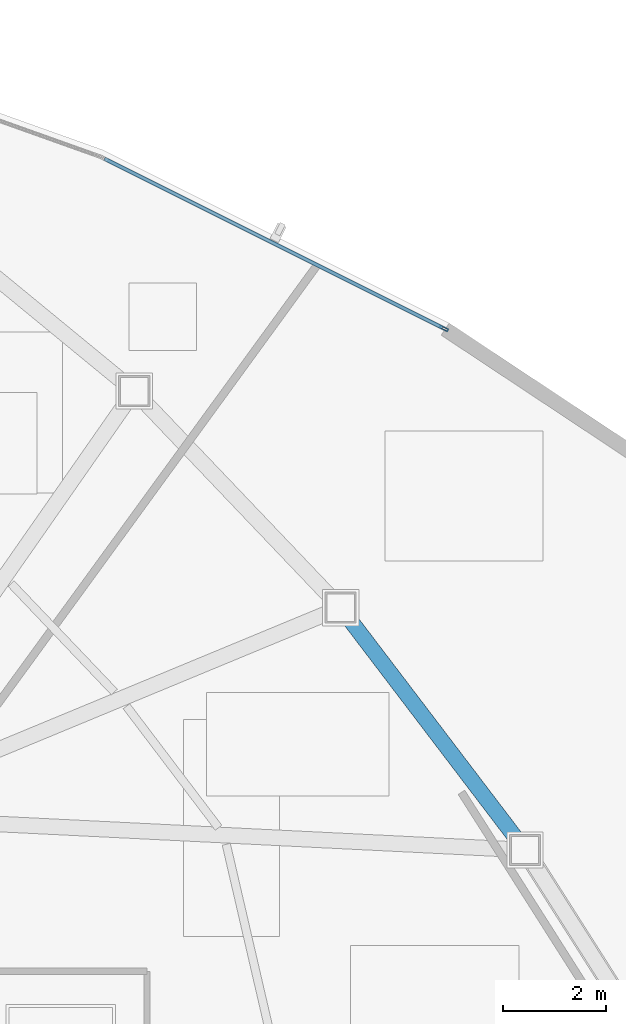
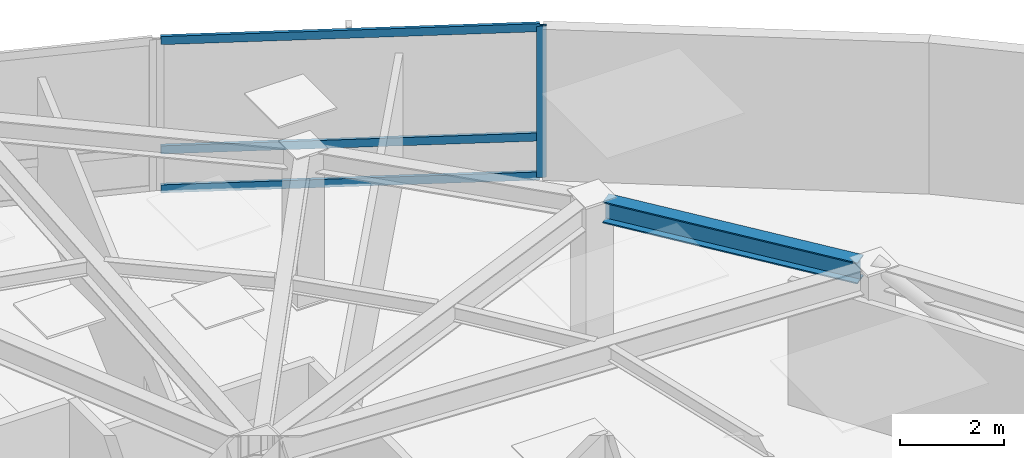
# One storey, part 9 of 17: 4 members, 1 beam, 1 element without a shape of its own.
"""IFC4 building model written with IfcOpenShell, lengths in metres."""

from ifc_helpers import new_model, si_unit, direction, frame, origin, origin_2d, place, context, subcontext, project, spatial, hollow_rectangle, i_section, extrude, source, transform, mapped, material, layer, layer_set, material_profile, profile_set, type_object, type_shapes, element, aggregate, save


model = new_model("IFC4")

# Units and contexts
model_context = context("Model", 3, precision=1e-05, world=origin(), true_north=direction((0.0, 1.0)))
body_context = subcontext(model_context, "Body", "Model", "MODEL_VIEW")
ifc_project = project(units=[si_unit("LENGTHUNIT", "METRE"), si_unit("AREAUNIT", "SQUARE_METRE"), si_unit("VOLUMEUNIT", "CUBIC_METRE"), si_unit("PLANEANGLEUNIT", "RADIAN"), si_unit("MASSUNIT", "GRAM", prefix="KILO")], contexts=[model_context])

# Site, building, storey
site_placement = place(None, origin())
site = spatial("IfcSite", under=ifc_project, at=site_placement, CompositionType="ELEMENT")
building_placement = place(site_placement, origin())
building = spatial("IfcBuilding", under=site, at=building_placement, Name="Tavelor Broadcast Tower", CompositionType="ELEMENT")
storey_placement = place(building_placement, frame((0.0, 0.0, 188.75)))
storey = spatial("IfcBuildingStorey", under=building, at=storey_placement, Name="L45", CompositionType="ELEMENT", Elevation=188.75)

# Beam
ifc_material_1 = material(Name="Steel S355", Category="steel")
ifc_material_profile_1 = material_profile(ifc_material_1, i_section(OverallWidth=0.300048828125, OverallDepth=0.5, WebThickness=0.014404296875, FlangeThickness=0.028076171875, at=origin_2d()), Name="HEB 500")
ifc_profile_set_1 = profile_set([ifc_material_profile_1], Name="Steel S355")
beam_type = type_object("IfcBeamType", Name="Perimeter Spandrel Beam T4 HEB 500", PredefinedType="SPANDREL", material=ifc_profile_set_1)
beam_placement = place(storey_placement, frame((69.711669921875, 50.7734375, 3.300048828125), z_axis=(-0.605502841959, 0.795843143075, 0.0), x_axis=(-0.795843143075, -0.605502841959, 0.0)))
element("IfcBeam", 1, at=beam_placement, inside=storey, type_object=beam_type, Name="L45 Framed-Tube Ring Spandrel 14", PredefinedType="SPANDREL", context=body_context, shape_type="SweptSolid", body=[
    extrude(i_section(OverallWidth=0.300048828125, OverallDepth=0.5, WebThickness=0.014404296875, FlangeThickness=0.028076171875, at=origin_2d()), origin(), (0.0, 0.0, 1.0), 5.310302734375),
])

# Curtain wall, members
ifc_material_2 = material(Name="Architectural Anodized Aluminium", Category="aluminium")
ifc_layer = layer(ifc_material_2, 0.18994140625)
ifc_layer_set = layer_set([ifc_layer], Name="Architectural Anodized Aluminium")
curtain_wall_type = type_object("IfcCurtainWallType", Name="Tower Mid-Zone Acoustic Curtain Wall CW03", PredefinedType="NOTDEFINED", material=ifc_layer_set)
curtain_wall_placement = place(storey_placement, origin())
curtain_wall = element("IfcCurtainWall", 2, at=curtain_wall_placement, inside=storey, type_object=curtain_wall_type, Name="L45 Curtain Wall CW03 Run 489", PredefinedType="NOTDEFINED")
ifc_material_profile_2 = material_profile(ifc_material_2, hollow_rectangle(XDim=0.068115234375, YDim=0.18994140625, WallThickness=0.02197265625, at=origin_2d()), Name="RHS 68x190x22")
ifc_profile_set_2 = profile_set([ifc_material_profile_2], Name="Architectural Anodized Aluminium")
member_type_1 = type_object("IfcMemberType", Name="CW03 Extruded Aluminium Mullion 68x190", PredefinedType="MULLION", material=ifc_profile_set_2)
shared_shape_1 = source(origin(), body_context, "Body", "SweptSolid", [
    extrude(hollow_rectangle(XDim=0.068115234375, YDim=0.18994140625, WallThickness=0.02197265625, at=origin_2d()), origin(), (0.0, 0.0, 1.0), 3.550048828125),
])
type_shapes(member_type_1, [shared_shape_1])
member_1_placement = place(storey_placement, frame((68.31689453125, 60.626708984375, 0.0), z_axis=(0.0, 0.0, 1.0), x_axis=(-0.447369532173, -0.894349205671, 0.0)))
member_1 = element("IfcMember", 3, at=member_1_placement, type_object=member_type_1, Name="CW03 mullion 1", PredefinedType="MULLION", context=body_context, shape_type="MappedRepresentation", body=[
    mapped(shared_shape_1, transform((0.0, 0.0, 0.0), scale=1.0)),
])
ifc_material_profile_3 = material_profile(ifc_material_2, hollow_rectangle(XDim=0.068115234375, YDim=0.18994140625, WallThickness=0.02197265625, at=origin_2d()), Name="RHS 68x190x22")
ifc_profile_set_3 = profile_set([ifc_material_profile_3], Name="Architectural Anodized Aluminium")
member_type_2 = type_object("IfcMemberType", Name="CW03 Extruded Aluminium Transom 68x190", PredefinedType="USERDEFINED", material=ifc_profile_set_3)
shared_shape_2 = source(origin(), body_context, "Body", "SweptSolid", [
    extrude(hollow_rectangle(XDim=0.068115234375, YDim=0.18994140625, WallThickness=0.02197265625, at=origin_2d()), origin(), (0.0, 0.0, 1.0), 7.302490234375),
])
type_shapes(member_type_2, [shared_shape_2])
member_2_placement = place(storey_placement, frame((68.286376953125, 60.641845703125, 0.033935546875), z_axis=(-0.894340250825, 0.447387433612, 0.0), x_axis=(-0.447387433612, -0.894340250825, 0.0)))
member_2 = element("IfcMember", 4, at=member_2_placement, type_object=member_type_2, Name="CW03 transom 1.1", ObjectType="TRANSOM", PredefinedType="USERDEFINED", context=body_context, shape_type="MappedRepresentation", body=[
    mapped(shared_shape_2, transform((0.0, 0.0, 0.0), scale=1.0)),
])
member_3_placement = place(storey_placement, frame((68.286376953125, 60.641845703125, 0.949951171875), z_axis=(-0.894340250825, 0.447387433612, 0.0), x_axis=(-0.447387433612, -0.894340250825, 0.0)))
member_3 = element("IfcMember", 5, at=member_3_placement, type_object=member_type_2, Name="CW03 transom 1.2", ObjectType="TRANSOM", PredefinedType="USERDEFINED", context=body_context, shape_type="MappedRepresentation", body=[
    mapped(shared_shape_2, transform((0.0, 0.0, 0.0), scale=1.0)),
])
member_4_placement = place(storey_placement, frame((68.286376953125, 60.641845703125, 3.51611328125), z_axis=(-0.894340250825, 0.447387433612, 0.0), x_axis=(-0.447387433612, -0.894340250825, 0.0)))
member_4 = element("IfcMember", 6, at=member_4_placement, type_object=member_type_2, Name="CW03 transom 1.3", ObjectType="TRANSOM", PredefinedType="USERDEFINED", context=body_context, shape_type="MappedRepresentation", body=[
    mapped(shared_shape_2, transform((0.0, 0.0, 0.0), scale=1.0)),
])
aggregate(curtain_wall, [member_1, member_2, member_3, member_4])

save(model, "model.ifc")
